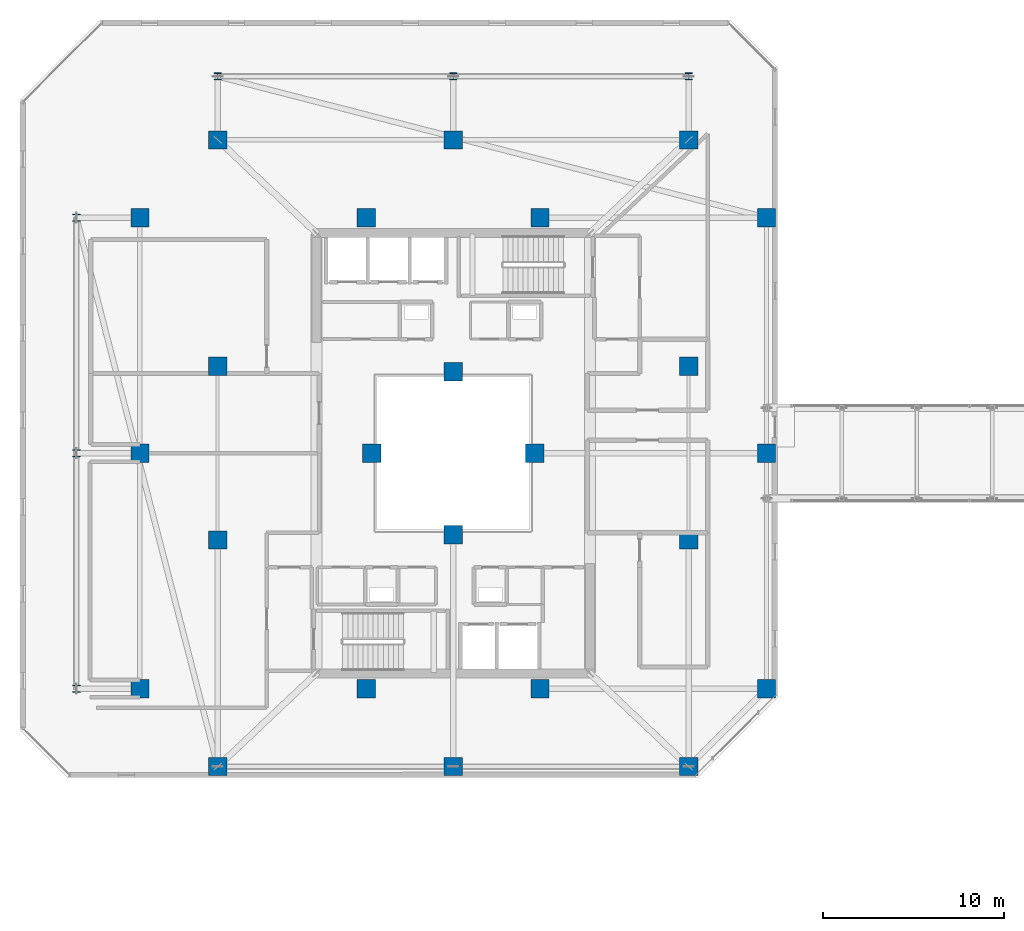
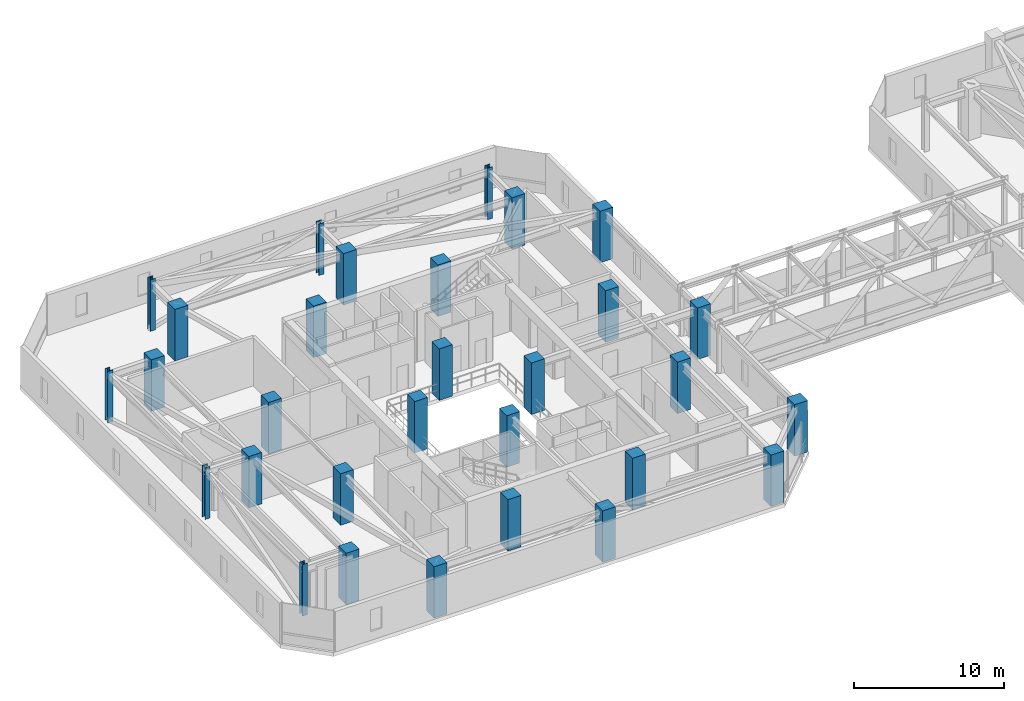
# One storey, part 1 of 42: 30 columns.
"""IFC4 building model written with IfcOpenShell, lengths in metres."""

from ifc_helpers import new_model, si_unit, direction, frame, origin, origin_2d, place, context, subcontext, project, spatial, rectangle, i_section, extrude, material, material_profile, profile_set, type_object, element, save


model = new_model("IFC4")

# Units and contexts
model_context = context("Model", 3, precision=1e-05, world=origin(), true_north=direction((0.0, 1.0)))
body_context = subcontext(model_context, "Body", "Model", "MODEL_VIEW")
ifc_project = project(units=[si_unit("LENGTHUNIT", "METRE"), si_unit("AREAUNIT", "SQUARE_METRE"), si_unit("VOLUMEUNIT", "CUBIC_METRE"), si_unit("PLANEANGLEUNIT", "RADIAN"), si_unit("MASSUNIT", "GRAM", prefix="KILO")], contexts=[model_context])

# Site, building, storey
site_placement = place(None, origin())
site = spatial("IfcSite", under=ifc_project, at=site_placement, CompositionType="ELEMENT")
building_placement = place(site_placement, origin())
building = spatial("IfcBuilding", under=site, at=building_placement, Name="Thornwick Lancets Civic Towers", CompositionType="ELEMENT")
storey_placement = place(building_placement, frame((0.0, 0.0, 221.699951171875)))
storey = spatial("IfcBuildingStorey", under=building, at=storey_placement, Name="L59", CompositionType="ELEMENT", Elevation=221.699951171875)

# Columns
ifc_material_1 = material(Name="Concrete C50/60", Category="concrete")
ifc_material_profile_1 = material_profile(ifc_material_1, rectangle(XDim=1.0, YDim=1.0, at=origin_2d()), Name="RC 1000x1000")
ifc_profile_set_1 = profile_set([ifc_material_profile_1], Name="Concrete C50/60")
column_type_1 = type_object("IfcColumnType", Name="COL_RC_1000", PredefinedType="COLUMN", material=ifc_profile_set_1)
for number, where, z_axis, x_axis, name in (
    (1, (12.5, 9.699951171875, 0.0), (0.0, 0.0, 1.0), (1.0, 0.0, 0.0), "L59 Spine Mega-Column A01"),
    (2, (25.5, 9.699951171875, 0.0), (0.0, 0.0, 1.0), (1.0, 0.0, 0.0), "L59 Spine Mega-Column A02"),
    (3, (38.5, 9.699951171875, 0.0), (0.0, 0.0, 1.0), (1.0, 0.0, 0.0), "L59 Spine Mega-Column A03"),
    (4, (42.800048828125, 14.0, 0.0), (0.0, 0.0, 1.0), (1.0, 0.0, 0.0), "L59 Spine Mega-Column A04"),
    (5, (42.800048828125, 27.0, 0.0), (0.0, 0.0, 1.0), (1.0, 0.0, 0.0), "L59 Spine Mega-Column A05"),
    (6, (42.800048828125, 40.0, 0.0), (0.0, 0.0, 1.0), (1.0, 0.0, 0.0), "L59 Spine Mega-Column A06"),
    (7, (12.5, 44.300048828125, 0.0), (0.0, 0.0, 1.0), (1.0, 0.0, 0.0), "L59 Spine Mega-Column A07"),
    (8, (25.5, 44.300048828125, 0.0), (0.0, 0.0, 1.0), (1.0, 0.0, 0.0), "L59 Spine Mega-Column A08"),
    (9, (38.5, 44.300048828125, 0.0), (0.0, 0.0, 1.0), (1.0, 0.0, 0.0), "L59 Spine Mega-Column A09"),
    (10, (8.199951171875, 14.0, 0.0), (0.0, 0.0, 1.0), (1.0, 0.0, 0.0), "L59 Spine Mega-Column A10"),
    (11, (8.199951171875, 27.0, 0.0), (0.0, 0.0, 1.0), (1.0, 0.0, 0.0), "L59 Spine Mega-Column A11"),
    (12, (8.199951171875, 40.0, 0.0), (0.0, 0.0, 1.0), (1.0, 0.0, 0.0), "L59 Spine Mega-Column A12"),
    (13, (12.5, 22.199951171875, 0.0), (0.0, 0.0, 1.0), (1.0, 0.0, 0.0), "L59 Spine Mega-Column A13"),
    (14, (38.5, 22.199951171875, 0.0), (0.0, 0.0, 1.0), (1.0, 0.0, 0.0), "L59 Spine Mega-Column A14"),
    (15, (12.5, 31.800048828125, 0.0), (0.0, 0.0, 1.0), (1.0, 0.0, 0.0), "L59 Spine Mega-Column A15"),
    (16, (38.5, 31.800048828125, 0.0), (0.0, 0.0, 1.0), (1.0, 0.0, 0.0), "L59 Spine Mega-Column A16"),
    (17, (20.699951171875, 14.0, 0.0), (0.0, 0.0, 1.0), (1.0, 0.0, 0.0), "L59 Spine Mega-Column A17"),
    (18, (30.300048828125, 14.0, 0.0), (0.0, 0.0, 1.0), (1.0, 0.0, 0.0), "L59 Spine Mega-Column A18"),
    (19, (20.699951171875, 40.0, 0.0), (0.0, 0.0, 1.0), (1.0, 0.0, 0.0), "L59 Spine Mega-Column A19"),
    (20, (30.300048828125, 40.0, 0.0), (0.0, 0.0, 1.0), (1.0, 0.0, 0.0), "L59 Spine Mega-Column A20"),
    (21, (25.5, 22.5, 0.0), (0.0, 0.0, 1.0), (1.0, 0.0, 0.0), "L59 Spine Mega-Column A21"),
    (22, (25.5, 31.5, 0.0), (0.0, 0.0, 1.0), (1.0, 0.0, 0.0), "L59 Spine Mega-Column A22"),
    (23, (21.0, 27.0, 0.0), (0.0, 0.0, 1.0), (1.0, 0.0, 0.0), "L59 Spine Mega-Column A23"),
    (24, (30.0, 27.0, 0.0), (0.0, 0.0, 1.0), (1.0, 0.0, 0.0), "L59 Spine Mega-Column A24"),
):
    element("IfcColumn", number, at=place(storey_placement, frame(where, z_axis=z_axis, x_axis=x_axis)), inside=storey, type_object=column_type_1, Name=name, PredefinedType="COLUMN", context=body_context, shape_type="SweptSolid", body=[
        extrude(rectangle(XDim=1.0, YDim=1.0, at=origin_2d()), origin(), (0.0, 0.0, 1.0), 4.199951171875),
    ])
ifc_material_2 = material(Name="Steel S355JR", Category="steel")
ifc_material_profile_2 = material_profile(ifc_material_2, i_section(OverallWidth=0.39892578125, OverallDepth=0.3935546875, WebThickness=0.022705078125, FlangeThickness=0.03662109375, FilletRadius=0.01513671875, at=origin_2d()), Name="UKC 356x406x287")
ifc_profile_set_2 = profile_set([ifc_material_profile_2], Name="Steel S355JR")
column_type_2 = type_object("IfcColumnType", Name="COL_UKC_287", PredefinedType="COLUMN", material=ifc_profile_set_2)
for number, where, z_axis, x_axis, name in (
    (25, (12.5, 47.800048828125, 0.0), (0.0, 0.0, 1.0), (1.0, 0.0, 0.0), "L59 Block Perimeter Column A07"),
    (26, (25.5, 47.800048828125, 0.0), (0.0, 0.0, 1.0), (1.0, 0.0, 0.0), "L59 Block Perimeter Column A08"),
    (27, (38.5, 47.800048828125, 0.0), (0.0, 0.0, 1.0), (1.0, 0.0, 0.0), "L59 Block Perimeter Column A09"),
    (28, (4.699951171875, 14.0, 0.0), (0.0, 0.0, 1.0), (1.0, 0.0, 0.0), "L59 Block Perimeter Column A10"),
    (29, (4.699951171875, 27.0, 0.0), (0.0, 0.0, 1.0), (1.0, 0.0, 0.0), "L59 Block Perimeter Column A11"),
    (30, (4.699951171875, 40.0, 0.0), (0.0, 0.0, 1.0), (1.0, 0.0, 0.0), "L59 Block Perimeter Column A12"),
):
    element("IfcColumn", number, at=place(storey_placement, frame(where, z_axis=z_axis, x_axis=x_axis)), inside=storey, type_object=column_type_2, Name=name, PredefinedType="COLUMN", context=body_context, shape_type="SweptSolid", body=[
        extrude(i_section(OverallWidth=0.39892578125, OverallDepth=0.3935546875, WebThickness=0.022705078125, FlangeThickness=0.03662109375, FilletRadius=0.01513671875, at=origin_2d()), origin(), (0.0, 0.0, 1.0), 4.199951171875),
    ])

save(model, "model.ifc")
